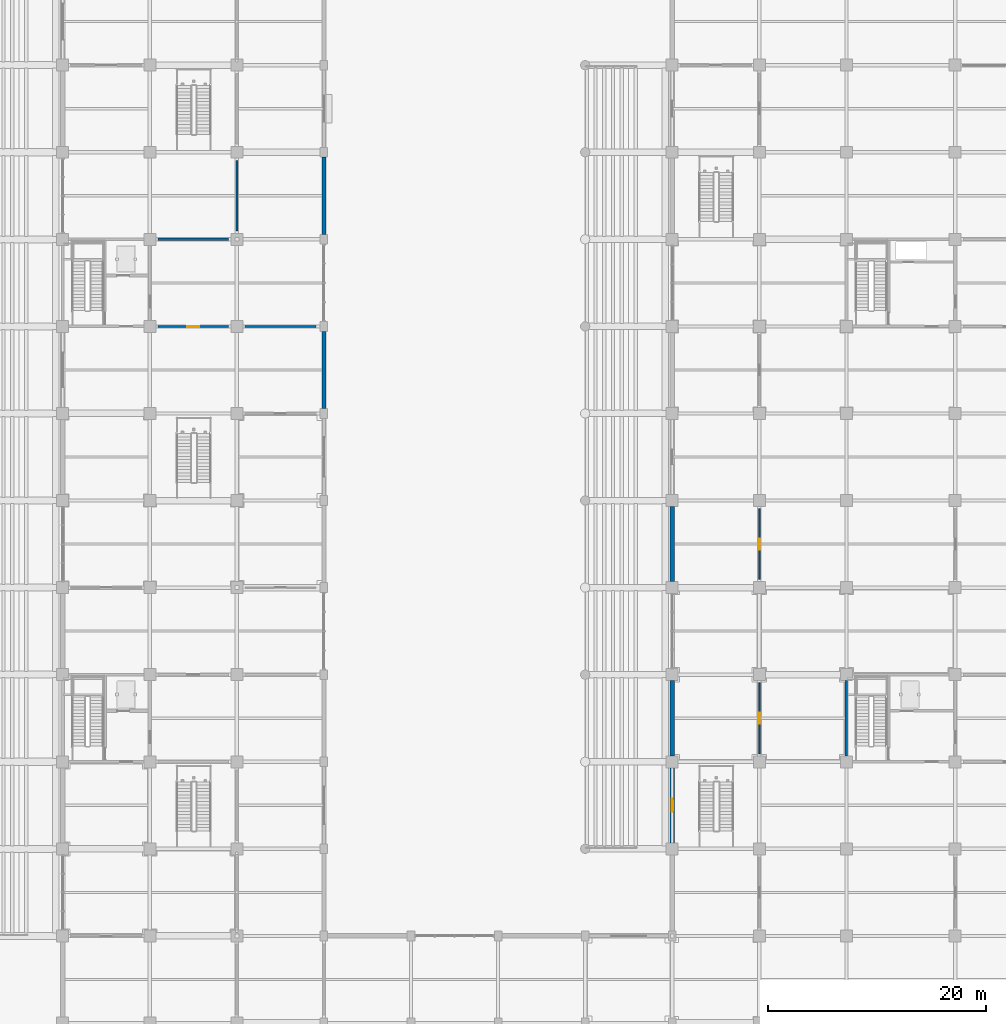
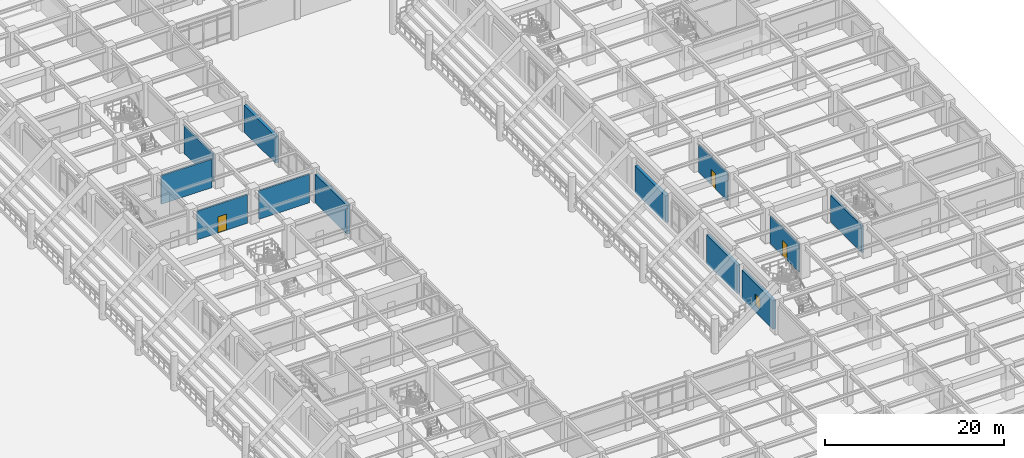
# One storey, part 85 of 125: 12 walls, 3 doors, 1 window, 4 openings.
"""IFC4 building model written with IfcOpenShell, lengths in metres."""

from ifc_helpers import new_model, si_unit, direction, frame, frame_2d, origin, place, context, subcontext, project, spatial, rectangle, extrude, material, layer, layer_set, type_object, element, fill, save


model = new_model("IFC4")

# Units and contexts
model_context = context("Model", 3, precision=1e-05, world=origin(), true_north=direction((0.0, 1.0)))
body_context = subcontext(model_context, "Body", "Model", "MODEL_VIEW")
ifc_project = project(units=[si_unit("LENGTHUNIT", "METRE"), si_unit("AREAUNIT", "SQUARE_METRE"), si_unit("VOLUMEUNIT", "CUBIC_METRE"), si_unit("PLANEANGLEUNIT", "RADIAN"), si_unit("MASSUNIT", "GRAM", prefix="KILO")], contexts=[model_context])

# Site, building, storey
site_placement = place(None, origin())
site = spatial("IfcSite", under=ifc_project, at=site_placement, CompositionType="ELEMENT")
building_placement = place(site_placement, origin())
building = spatial("IfcBuilding", under=site, at=building_placement, Name="Haebicheon Civic Stadium", CompositionType="ELEMENT")
storey_placement = place(building_placement, origin())
storey = spatial("IfcBuildingStorey", under=building, at=storey_placement, Name="L01", CompositionType="ELEMENT", Elevation=0.0)

# Walls
ifc_material_1 = material(Name="Concrete C40/50", Category="concrete")
ifc_layer_1 = layer(ifc_material_1, 0.239990234375, Name="Concrete C40/50")
ifc_layer_set_1 = layer_set([ifc_layer_1], Name="Concrete C40/50")
wall_type_1 = type_object("IfcWallType", Name="CW-SHR-240", PredefinedType="SHEAR", material=ifc_layer_set_1)
wall_1_placement = place(storey_placement, frame((216.0, 64.550048828125, 0.0), z_axis=(0.0, 0.0, 1.0), x_axis=(0.0, 1.0, 0.0)))
element("IfcWall", 1, at=wall_1_placement, inside=storey, type_object=wall_type_1, material=ifc_layer_set_1, Name="KC-12 L01 west core shear wall", PredefinedType="SHEAR", context=body_context, shape_type="SweptSolid", body=[
    extrude(rectangle(XDim=6.89990234375, YDim=0.239990234375, at=frame_2d((3.449951171875, 0.0))), origin(), (0.0, 0.0, 1.0), 3.659912109375),
])
ifc_material_2 = material(Name="Concrete C40/50", Category="concrete")
ifc_layer_2 = layer(ifc_material_2, 0.39990234375, Name="Concrete C40/50")
ifc_layer_set_2 = layer_set([ifc_layer_2], Name="Concrete C40/50")
wall_type_2 = type_object("IfcWallType", Name="EW-BM-400", PredefinedType="SOLIDWALL", material=ifc_layer_set_2)
wall_2_placement = place(storey_placement, frame((168.0, 96.449951171875, 0.0), z_axis=(0.0, 0.0, 1.0), x_axis=(0.0, 1.0, 0.0)))
element("IfcWall", 2, at=wall_2_placement, inside=storey, type_object=wall_type_2, material=ifc_layer_set_2, Name="L01 board-marked concrete facade wall 21-12-E", PredefinedType="SOLIDWALL", context=body_context, shape_type="SweptSolid", body=[
    extrude(rectangle(XDim=7.10009765625, YDim=0.39990234375, at=frame_2d((3.550048828125, 0.0))), origin(), (0.0, 0.0, 1.0), 3.909912109375),
])
wall_3_placement = place(storey_placement, frame((168.0, 112.449951171875, 0.0), z_axis=(0.0, 0.0, 1.0), x_axis=(0.0, 1.0, 0.0)))
element("IfcWall", 3, at=wall_3_placement, inside=storey, type_object=wall_type_2, material=ifc_layer_set_2, Name="L01 board-marked concrete facade wall 21-14-E", PredefinedType="SOLIDWALL", context=body_context, shape_type="SweptSolid", body=[
    extrude(rectangle(XDim=7.10009765625, YDim=0.39990234375, at=frame_2d((3.550048828125, 0.0))), origin(), (0.0, 0.0, 1.0), 3.659912109375),
])

# Wall, opening, window
wall_4_placement = place(storey_placement, frame((200.0, 56.550048828125, 0.0), z_axis=(0.0, 0.0, 1.0), x_axis=(0.0, 1.0, 0.0)))
wall_4 = element("IfcWall", 4, at=wall_4_placement, inside=storey, type_object=wall_type_2, material=ifc_layer_set_2, Name="L01 board-marked concrete facade wall 25-07-W", PredefinedType="SOLIDWALL", context=body_context, shape_type="SweptSolid", body=[
    extrude(rectangle(XDim=6.89990234375, YDim=0.39990234375, at=frame_2d((3.449951171875, 0.0))), origin(), (0.0, 0.0, 1.0), 3.909912109375),
])
opening_1_placement = place(wall_4_placement, frame((2.85009765625, 0.0, 0.949951171875)))
opening_1 = element("IfcOpeningElement", 5, at=opening_1_placement, cuts=wall_4, Name="Opening WIN-120x150", PredefinedType="OPENING", context=body_context, shape_type="SweptSolid", body=[
    extrude(rectangle(XDim=1.199951171875, YDim=1.5, at=frame_2d((0.60009765625, 0.75))), frame((0.0, 0.2099609375, 0.0), z_axis=(0.0, -1.0, 0.0), x_axis=(1.0, 0.0, 0.0)), (0.0, 0.0, 1.0), 0.419921875),
])
ifc_material_3 = material(Name="Anodised aluminium and laminated glass", Category="aluminium")
window_type = type_object("IfcWindowType", Name="WIN-120x150", PartitioningType="SINGLE_PANEL", PredefinedType="WINDOW", material=ifc_material_3)
window_placement = place(opening_1_placement, origin())
window = element("IfcWindow", 6, at=window_placement, inside=storey, type_object=window_type, material=ifc_material_3, Name="L01 facade window 025", OverallHeight=1.5, OverallWidth=1.199951171875, PartitioningType="SINGLE_PANEL", PredefinedType="WINDOW", context=body_context, shape_type="SweptSolid", body=[
    extrude(rectangle(XDim=1.199951171875, YDim=1.5, at=frame_2d((0.60009765625, 0.75))), frame((0.0, 0.030029296875, 0.0), z_axis=(0.0, -1.0, 0.0), x_axis=(1.0, 0.0, 0.0)), (0.0, 0.0, 1.0), 0.06005859375),
])
fill(opening_1, window)

# Walls
wall_5_placement = place(storey_placement, frame((200.0, 64.550048828125, 0.0), z_axis=(0.0, 0.0, 1.0), x_axis=(0.0, 1.0, 0.0)))
element("IfcWall", 7, at=wall_5_placement, inside=storey, type_object=wall_type_2, material=ifc_layer_set_2, Name="L01 board-marked concrete facade wall 25-08-W", PredefinedType="SOLIDWALL", context=body_context, shape_type="SweptSolid", body=[
    extrude(rectangle(XDim=6.89990234375, YDim=0.39990234375, at=frame_2d((3.449951171875, 0.0))), origin(), (0.0, 0.0, 1.0), 3.909912109375),
])
wall_6_placement = place(storey_placement, frame((200.0, 80.550048828125, 0.0), z_axis=(0.0, 0.0, 1.0), x_axis=(0.0, 1.0, 0.0)))
element("IfcWall", 8, at=wall_6_placement, inside=storey, type_object=wall_type_2, material=ifc_layer_set_2, Name="L01 board-marked concrete facade wall 25-10-W", PredefinedType="SOLIDWALL", context=body_context, shape_type="SweptSolid", body=[
    extrude(rectangle(XDim=6.89990234375, YDim=0.39990234375, at=frame_2d((3.449951171875, 0.0))), origin(), (0.0, 0.0, 1.0), 3.659912109375),
])

# Wall, opening, door
ifc_material_4 = material(Name="Concrete C35/45", Category="concrete")
ifc_layer_3 = layer(ifc_material_4, 0.199951171875, Name="Concrete C35/45")
ifc_layer_set_3 = layer_set([ifc_layer_3], Name="Concrete C35/45")
wall_type_3 = type_object("IfcWallType", Name="IW-FIR-200", PredefinedType="PARTITIONING", material=ifc_layer_set_3)
wall_7_placement = place(storey_placement, frame((152.75, 104.0, 0.0), z_axis=(0.0, 0.0, 1.0), x_axis=(1.0, 0.0, 0.0)))
wall_7 = element("IfcWall", 9, at=wall_7_placement, inside=storey, type_object=wall_type_3, material=ifc_layer_set_3, Name="L01 KC-11 protected exit passage EI 120 wall 01", PredefinedType="PARTITIONING", context=body_context, shape_type="SweptSolid", body=[
    extrude(rectangle(XDim=6.5, YDim=0.199951171875, at=frame_2d((3.25, 0.0))), origin(), (0.0, 0.0, 1.0), 3.909912109375),
])
opening_2_placement = place(wall_7_placement, frame((2.699951171875, 0.0, 0.0)))
opening_2 = element("IfcOpeningElement", 10, at=opening_2_placement, cuts=wall_7, Name="Opening D-L01-PXP-15", PredefinedType="OPENING", context=body_context, shape_type="SweptSolid", body=[
    extrude(rectangle(XDim=1.10009765625, YDim=2.199951171875, at=frame_2d((0.550048828125, 1.10009765625))), frame((0.0, 0.10986328125, 0.0), z_axis=(0.0, -1.0, 0.0), x_axis=(1.0, 0.0, 0.0)), (0.0, 0.0, 1.0), 0.219970703125),
])
ifc_material_5 = material(Name="Galvanised painted steel SM355", Category="steel")
door_type_1 = type_object("IfcDoorType", Name="ID-FD-1100", OperationType="NOTDEFINED", PredefinedType="DOOR", material=ifc_material_5)
door_1_placement = place(opening_2_placement, origin())
door_1 = element("IfcDoor", 11, at=door_1_placement, inside=storey, type_object=door_type_1, material=ifc_material_5, Name="L01 KC-11 protected exit passage lobby fire door", OperationType="SINGLE_SWING_LEFT", OverallHeight=2.199951171875, OverallWidth=1.10009765625, PredefinedType="DOOR", context=body_context, shape_type="SweptSolid", body=[
    extrude(rectangle(XDim=1.10009765625, YDim=2.199951171875, at=frame_2d((0.550048828125, 1.10009765625))), frame((0.0, 0.02490234375, 0.0), z_axis=(0.0, -1.0, 0.0), x_axis=(1.0, 0.0, 0.0)), (0.0, 0.0, 1.0), 0.050048828125),
])
fill(opening_2, door_1)

# Walls
for number, where, z_axis, x_axis, name in (
    (12, (152.75, 112.0, 0.0), (0.0, 0.0, 1.0), (1.0, 0.0, 0.0), "L01 KC-11 protected exit passage EI 120 wall 02"),
    (13, (160.75, 104.0, 0.0), (0.0, 0.0, 1.0), (1.0, 0.0, 0.0), "L01 KC-11 protected exit passage EI 120 wall 03"),
):
    element("IfcWall", number, at=place(storey_placement, frame(where, z_axis=z_axis, x_axis=x_axis)), inside=storey, type_object=wall_type_3, material=ifc_layer_set_3, Name=name, PredefinedType="PARTITIONING", context=body_context, shape_type="SweptSolid", body=[
        extrude(rectangle(XDim=6.5, YDim=0.199951171875, at=frame_2d((3.25, 0.0))), origin(), (0.0, 0.0, 1.0), 3.909912109375),
    ])
wall_8_placement = place(storey_placement, frame((160.0, 112.75, 0.0), z_axis=(0.0, 0.0, 1.0), x_axis=(0.0, 1.0, 0.0)))
element("IfcWall", 14, at=wall_8_placement, inside=storey, type_object=wall_type_3, material=ifc_layer_set_3, Name="L01 KC-11 protected exit passage EI 120 wall 04", PredefinedType="PARTITIONING", context=body_context, shape_type="SweptSolid", body=[
    extrude(rectangle(XDim=6.5, YDim=0.199951171875, at=frame_2d((3.25, 0.0))), origin(), (0.0, 0.0, 1.0), 3.81005859375),
])

# Wall, opening, door
ifc_material_6 = material(Name="Gypsum plasterboard on steel studs", Category="gypsum")
ifc_layer_4 = layer(ifc_material_6, 0.1298828125, Name="Gypsum plasterboard on steel studs")
ifc_layer_set_4 = layer_set([ifc_layer_4], Name="Gypsum plasterboard on steel studs")
wall_type_4 = type_object("IfcWallType", Name="IW-PRT-130", PredefinedType="PARTITIONING", material=ifc_layer_set_4)
wall_9_placement = place(storey_placement, frame((208.0, 80.75, 0.0), z_axis=(0.0, 0.0, 1.0), x_axis=(0.0, 1.0, 0.0)))
wall_9 = element("IfcWall", 15, at=wall_9_placement, inside=storey, type_object=wall_type_4, material=ifc_layer_set_4, Name="L01 Community Athletics Reception partition wall", PredefinedType="PARTITIONING", context=body_context, shape_type="SweptSolid", body=[
    extrude(rectangle(XDim=6.5, YDim=0.1298828125, at=frame_2d((3.25, 0.0))), origin(), (0.0, 0.0, 1.0), 3.81005859375),
])
opening_3_placement = place(wall_9_placement, frame((2.75, 0.0, 0.0)))
opening_3 = element("IfcOpeningElement", 16, at=opening_3_placement, cuts=wall_9, Name="Opening D-L01-140", PredefinedType="OPENING", context=body_context, shape_type="SweptSolid", body=[
    extrude(rectangle(XDim=1.0, YDim=2.10009765625, at=frame_2d((0.5, 1.050048828125))), frame((0.0, 0.074951171875, 0.0), z_axis=(0.0, -1.0, 0.0), x_axis=(1.0, 0.0, 0.0)), (0.0, 0.0, 1.0), 0.14990234375),
])
ifc_material_7 = material(Name="Engineered hardwood timber", Category="wood")
door_type_2 = type_object("IfcDoorType", Name="ID-RM-1000", OperationType="NOTDEFINED", PredefinedType="DOOR", material=ifc_material_7)
door_2_placement = place(opening_3_placement, origin())
door_2 = element("IfcDoor", 17, at=door_2_placement, inside=storey, type_object=door_type_2, material=ifc_material_7, Name="L01 Community Athletics Reception entrance door D-L01-140", OperationType="SINGLE_SWING_LEFT", OverallHeight=2.10009765625, OverallWidth=1.0, PredefinedType="DOOR", context=body_context, shape_type="SweptSolid", body=[
    extrude(rectangle(XDim=1.0, YDim=2.10009765625, at=frame_2d((0.5, 1.050048828125))), frame((0.0, 0.02490234375, 0.0), z_axis=(0.0, -1.0, 0.0), x_axis=(1.0, 0.0, 0.0)), (0.0, 0.0, 1.0), 0.050048828125),
])
fill(opening_3, door_2)

wall_10_placement = place(storey_placement, frame((208.0, 64.75, 0.0), z_axis=(0.0, 0.0, 1.0), x_axis=(0.0, 1.0, 0.0)))
wall_10 = element("IfcWall", 18, at=wall_10_placement, inside=storey, type_object=wall_type_4, material=ifc_layer_set_4, Name="L01 Community Athletics Reception partition wall", PredefinedType="PARTITIONING", context=body_context, shape_type="SweptSolid", body=[
    extrude(rectangle(XDim=6.5, YDim=0.1298828125, at=frame_2d((3.25, 0.0))), origin(), (0.0, 0.0, 1.0), 3.81005859375),
])
opening_4_placement = place(wall_10_placement, frame((2.75, 0.0, 0.0)))
opening_4 = element("IfcOpeningElement", 19, at=opening_4_placement, cuts=wall_10, Name="Opening D-L01-144", PredefinedType="OPENING", context=body_context, shape_type="SweptSolid", body=[
    extrude(rectangle(XDim=1.0, YDim=2.10009765625, at=frame_2d((0.5, 1.050048828125))), frame((0.0, 0.074951171875, 0.0), z_axis=(0.0, -1.0, 0.0), x_axis=(1.0, 0.0, 0.0)), (0.0, 0.0, 1.0), 0.14990234375),
])
door_3_placement = place(opening_4_placement, origin())
door_3 = element("IfcDoor", 20, at=door_3_placement, inside=storey, type_object=door_type_2, material=ifc_material_7, Name="L01 Community Athletics Reception entrance door D-L01-144", OperationType="SINGLE_SWING_LEFT", OverallHeight=2.10009765625, OverallWidth=1.0, PredefinedType="DOOR", context=body_context, shape_type="SweptSolid", body=[
    extrude(rectangle(XDim=1.0, YDim=2.10009765625, at=frame_2d((0.5, 1.050048828125))), frame((0.0, 0.02490234375, 0.0), z_axis=(0.0, -1.0, 0.0), x_axis=(1.0, 0.0, 0.0)), (0.0, 0.0, 1.0), 0.050048828125),
])
fill(opening_4, door_3)

save(model, "model.ifc")
